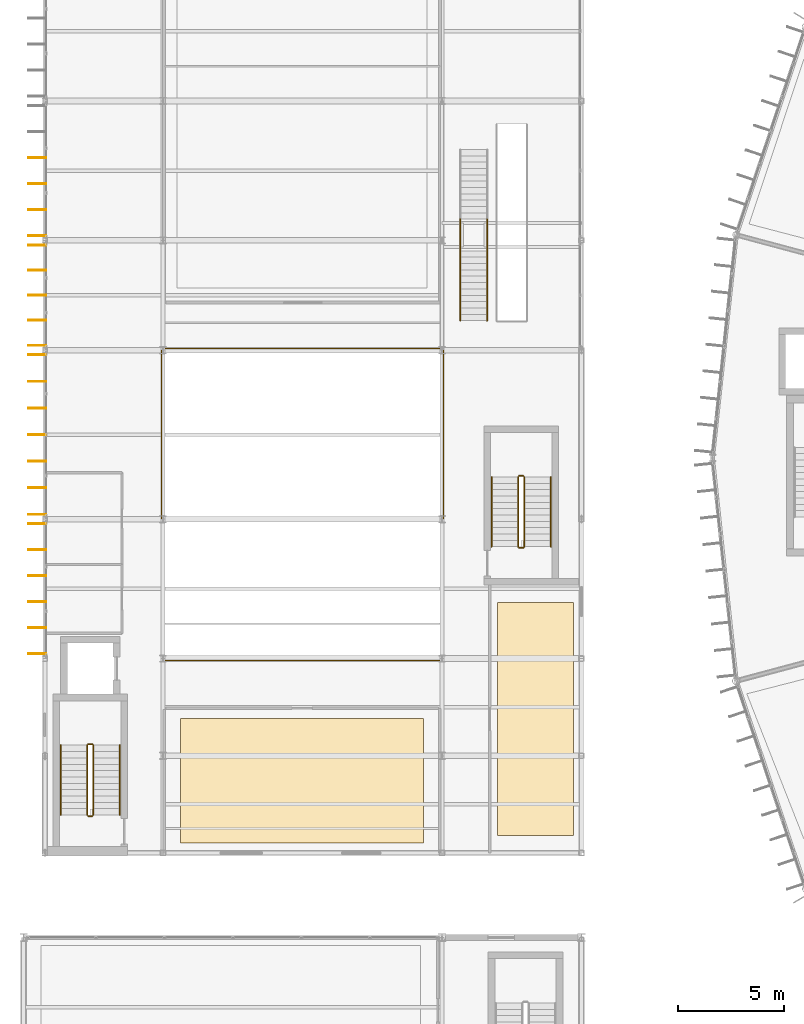
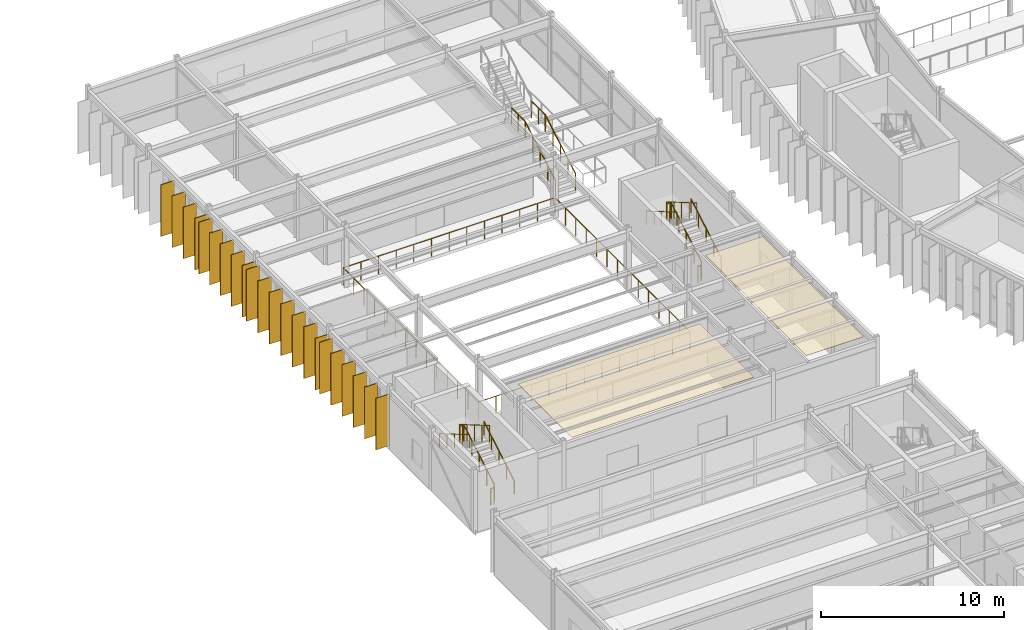
# One storey, part 135 of 148: 22 shading devices, 17 railings, 2 coverings.
"""IFC4 building model written with IfcOpenShell, lengths in metres."""

from ifc_helpers import new_model, si_unit, direction, frame, origin, origin_2d, place, context, subcontext, project, spatial, polyline, rectangle, circle, outline, extrude, material, layer, layer_set, type_object, element, save


model = new_model("IFC4")

# Units and contexts
model_context = context("Model", 3, precision=1e-05, world=origin(), true_north=direction((0.0, 1.0)))
body_context = subcontext(model_context, "Body", "Model", "MODEL_VIEW")
ifc_project = project(units=[si_unit("LENGTHUNIT", "METRE"), si_unit("AREAUNIT", "SQUARE_METRE"), si_unit("VOLUMEUNIT", "CUBIC_METRE"), si_unit("PLANEANGLEUNIT", "RADIAN"), si_unit("MASSUNIT", "GRAM", prefix="KILO")], contexts=[model_context])

# Site, building, storey
site_placement = place(None, origin())
site = spatial("IfcSite", under=ifc_project, at=site_placement, CompositionType="ELEMENT")
building_placement = place(site_placement, origin())
building = spatial("IfcBuilding", under=site, at=building_placement, Name="Karori Crest Natural Sciences Institute", CompositionType="ELEMENT")
storey_placement = place(building_placement, frame((0.0, 0.0, 4.89990234375)))
storey = spatial("IfcBuildingStorey", under=building, at=storey_placement, Name="L01", CompositionType="ELEMENT", Elevation=4.89990234375)

# Coverings
ifc_material_1 = material(Name="Acoustic mineral fibre ceiling tile")
ifc_layer_1 = layer(ifc_material_1, 0.02490234375, Name="Acoustic mineral fibre ceiling tile")
ifc_layer_set_1 = layer_set([ifc_layer_1], Name="Acoustic mineral fibre ceiling tile")
covering_type = type_object("IfcCoveringType", Name="CVT-CEIL", PredefinedType="CEILING", material=ifc_layer_set_1)
covering_1_placement = place(storey_placement, frame((0.0, 0.0, 3.705078125)))
element("IfcCovering", 1, at=covering_1_placement, inside=storey, type_object=covering_type, Name="Acoustic ceiling CLG-0049", PredefinedType="CEILING", context=body_context, shape_type="SweptSolid", body=[
    extrude(outline(polyline([(8.23291015625, 37.570556640625), (8.23291015625, 31.679443359375), (19.71728515625, 31.679443359375), (19.71728515625, 37.570556640625), (8.23291015625, 37.570556640625)])), origin(), (0.0, 0.0, 1.0), 0.02490234375),
])
covering_2_placement = place(storey_placement, frame((0.0, 0.0, 3.705078125)))
element("IfcCovering", 2, at=covering_2_placement, inside=storey, type_object=covering_type, Name="Acoustic ceiling CLG-0050", PredefinedType="CEILING", context=body_context, shape_type="SweptSolid", body=[
    extrude(outline(polyline([(23.22705078125, 43.054443359375), (23.22705078125, 32.025390625), (26.822998046875, 32.025390625), (26.822998046875, 43.054443359375), (23.22705078125, 43.054443359375)])), origin(), (0.0, 0.0, 1.0), 0.02490234375),
])

# Railings
ifc_material_2 = material(Name="Stainless steel 316 balustrade", Category="steel")
railing_type_1 = type_object("IfcRailingType", Name="RLT-GRD", PredefinedType="GUARDRAIL", material=ifc_material_2)
railing_1_placement = place(storey_placement, frame((7.320068359375, 40.320068359375, 0.0)))
element("IfcRailing", 3, at=railing_1_placement, inside=storey, type_object=railing_type_1, Name="Atrium void perimeter guard GR-0008", PredefinedType="GUARDRAIL", context=body_context, shape_type="SweptSolid", body=[
    extrude(circle(Radius=0.02392578125, at=origin_2d()), frame((0.0, 0.0, 1.17578125), z_axis=(1.0, 0.0, 0.0), x_axis=(0.0, 1.0, 0.0)), (0.0, 0.0, 1.0), 13.35986328125),
    extrude(circle(Radius=0.02392578125, at=origin_2d()), frame((13.35986328125, 0.0, 1.17578125), z_axis=(0.0, 1.0, 0.0), x_axis=(-1.0, 0.0, 0.0)), (0.0, 0.0, 1.0), 14.760009765625),
    extrude(circle(Radius=0.02392578125, at=origin_2d()), frame((13.35986328125, 14.760009765625, 1.17578125), z_axis=(-1.0, 0.0, 0.0), x_axis=(0.0, -1.0, 0.0)), (0.0, 0.0, 1.0), 13.35986328125),
    extrude(circle(Radius=0.02392578125, at=origin_2d()), frame((0.0, 14.760009765625, 1.17578125), z_axis=(0.0, -1.0, 0.0), x_axis=(1.0, 0.0, 0.0)), (0.0, 0.0, 1.0), 14.760009765625),
    extrude(circle(Radius=0.02099609375, at=origin_2d()), origin(), (0.0, 0.0, 1.0), 1.15185546875),
    extrude(circle(Radius=0.02099609375, at=origin_2d()), frame((1.11328125, 0.0, 0.0)), (0.0, 0.0, 1.0), 1.15185546875),
    extrude(circle(Radius=0.02099609375, at=origin_2d()), frame((2.2265625, 0.0, 0.0)), (0.0, 0.0, 1.0), 1.15185546875),
    extrude(circle(Radius=0.02099609375, at=origin_2d()), frame((3.33984375, 0.0, 0.0)), (0.0, 0.0, 1.0), 1.15185546875),
    extrude(circle(Radius=0.02099609375, at=origin_2d()), frame((4.453369140625, 0.0, 0.0)), (0.0, 0.0, 1.0), 1.15185546875),
    extrude(circle(Radius=0.02099609375, at=origin_2d()), frame((5.566650390625, 0.0, 0.0)), (0.0, 0.0, 1.0), 1.15185546875),
    extrude(circle(Radius=0.02099609375, at=origin_2d()), frame((6.679931640625, 0.0, 0.0)), (0.0, 0.0, 1.0), 1.15185546875),
    extrude(circle(Radius=0.02099609375, at=origin_2d()), frame((7.793212890625, 0.0, 0.0)), (0.0, 0.0, 1.0), 1.15185546875),
    extrude(circle(Radius=0.02099609375, at=origin_2d()), frame((8.906494140625, 0.0, 0.0)), (0.0, 0.0, 1.0), 1.15185546875),
    extrude(circle(Radius=0.02099609375, at=origin_2d()), frame((10.02001953125, 0.0, 0.0)), (0.0, 0.0, 1.0), 1.15185546875),
    extrude(circle(Radius=0.02099609375, at=origin_2d()), frame((11.13330078125, 0.0, 0.0)), (0.0, 0.0, 1.0), 1.15185546875),
    extrude(circle(Radius=0.02099609375, at=origin_2d()), frame((12.24658203125, 0.0, 0.0)), (0.0, 0.0, 1.0), 1.15185546875),
    extrude(circle(Radius=0.02099609375, at=origin_2d()), frame((13.35986328125, 0.0, 0.0)), (0.0, 0.0, 1.0), 1.15185546875),
    extrude(circle(Radius=0.02099609375, at=origin_2d()), frame((13.35986328125, 1.135498046875, 0.0)), (0.0, 0.0, 1.0), 1.15185546875),
    extrude(circle(Radius=0.02099609375, at=origin_2d()), frame((13.35986328125, 2.270751953125, 0.0)), (0.0, 0.0, 1.0), 1.15185546875),
    extrude(circle(Radius=0.02099609375, at=origin_2d()), frame((13.35986328125, 3.40625, 0.0)), (0.0, 0.0, 1.0), 1.15185546875),
    extrude(circle(Radius=0.02099609375, at=origin_2d()), frame((13.35986328125, 4.54150390625, 0.0)), (0.0, 0.0, 1.0), 1.15185546875),
    extrude(circle(Radius=0.02099609375, at=origin_2d()), frame((13.35986328125, 5.677001953125, 0.0)), (0.0, 0.0, 1.0), 1.15185546875),
    extrude(circle(Radius=0.02099609375, at=origin_2d()), frame((13.35986328125, 6.812255859375, 0.0)), (0.0, 0.0, 1.0), 1.15185546875),
    extrude(circle(Radius=0.02099609375, at=origin_2d()), frame((13.35986328125, 7.94775390625, 0.0)), (0.0, 0.0, 1.0), 1.15185546875),
    extrude(circle(Radius=0.02099609375, at=origin_2d()), frame((13.35986328125, 9.0830078125, 0.0)), (0.0, 0.0, 1.0), 1.15185546875),
    extrude(circle(Radius=0.02099609375, at=origin_2d()), frame((13.35986328125, 10.218505859375, 0.0)), (0.0, 0.0, 1.0), 1.15185546875),
    extrude(circle(Radius=0.02099609375, at=origin_2d()), frame((13.35986328125, 11.353759765625, 0.0)), (0.0, 0.0, 1.0), 1.15185546875),
    extrude(circle(Radius=0.02099609375, at=origin_2d()), frame((13.35986328125, 12.4892578125, 0.0)), (0.0, 0.0, 1.0), 1.15185546875),
    extrude(circle(Radius=0.02099609375, at=origin_2d()), frame((13.35986328125, 13.62451171875, 0.0)), (0.0, 0.0, 1.0), 1.15185546875),
    extrude(circle(Radius=0.02099609375, at=origin_2d()), frame((13.35986328125, 14.760009765625, 0.0)), (0.0, 0.0, 1.0), 1.15185546875),
    extrude(circle(Radius=0.02099609375, at=origin_2d()), frame((12.24658203125, 14.760009765625, 0.0)), (0.0, 0.0, 1.0), 1.15185546875),
    extrude(circle(Radius=0.02099609375, at=origin_2d()), frame((11.13330078125, 14.760009765625, 0.0)), (0.0, 0.0, 1.0), 1.15185546875),
    extrude(circle(Radius=0.02099609375, at=origin_2d()), frame((10.02001953125, 14.760009765625, 0.0)), (0.0, 0.0, 1.0), 1.15185546875),
    extrude(circle(Radius=0.02099609375, at=origin_2d()), frame((8.906494140625, 14.760009765625, 0.0)), (0.0, 0.0, 1.0), 1.15185546875),
    extrude(circle(Radius=0.02099609375, at=origin_2d()), frame((7.793212890625, 14.760009765625, 0.0)), (0.0, 0.0, 1.0), 1.15185546875),
    extrude(circle(Radius=0.02099609375, at=origin_2d()), frame((6.679931640625, 14.760009765625, 0.0)), (0.0, 0.0, 1.0), 1.15185546875),
    extrude(circle(Radius=0.02099609375, at=origin_2d()), frame((5.566650390625, 14.760009765625, 0.0)), (0.0, 0.0, 1.0), 1.15185546875),
    extrude(circle(Radius=0.02099609375, at=origin_2d()), frame((4.453369140625, 14.760009765625, 0.0)), (0.0, 0.0, 1.0), 1.15185546875),
    extrude(circle(Radius=0.02099609375, at=origin_2d()), frame((3.33984375, 14.760009765625, 0.0)), (0.0, 0.0, 1.0), 1.15185546875),
    extrude(circle(Radius=0.02099609375, at=origin_2d()), frame((2.2265625, 14.760009765625, 0.0)), (0.0, 0.0, 1.0), 1.15185546875),
    extrude(circle(Radius=0.02099609375, at=origin_2d()), frame((1.11328125, 14.760009765625, 0.0)), (0.0, 0.0, 1.0), 1.15185546875),
    extrude(circle(Radius=0.02099609375, at=origin_2d()), frame((0.0, 14.760009765625, 0.0)), (0.0, 0.0, 1.0), 1.15185546875),
    extrude(circle(Radius=0.02099609375, at=origin_2d()), frame((0.0, 13.62451171875, 0.0)), (0.0, 0.0, 1.0), 1.15185546875),
    extrude(circle(Radius=0.02099609375, at=origin_2d()), frame((0.0, 12.4892578125, 0.0)), (0.0, 0.0, 1.0), 1.15185546875),
    extrude(circle(Radius=0.02099609375, at=origin_2d()), frame((0.0, 11.353759765625, 0.0)), (0.0, 0.0, 1.0), 1.15185546875),
    extrude(circle(Radius=0.02099609375, at=origin_2d()), frame((0.0, 10.218505859375, 0.0)), (0.0, 0.0, 1.0), 1.15185546875),
    extrude(circle(Radius=0.02099609375, at=origin_2d()), frame((0.0, 9.0830078125, 0.0)), (0.0, 0.0, 1.0), 1.15185546875),
    extrude(circle(Radius=0.02099609375, at=origin_2d()), frame((0.0, 7.94775390625, 0.0)), (0.0, 0.0, 1.0), 1.15185546875),
    extrude(circle(Radius=0.02099609375, at=origin_2d()), frame((0.0, 6.812255859375, 0.0)), (0.0, 0.0, 1.0), 1.15185546875),
    extrude(circle(Radius=0.02099609375, at=origin_2d()), frame((0.0, 5.677001953125, 0.0)), (0.0, 0.0, 1.0), 1.15185546875),
    extrude(circle(Radius=0.02099609375, at=origin_2d()), frame((0.0, 4.54150390625, 0.0)), (0.0, 0.0, 1.0), 1.15185546875),
    extrude(circle(Radius=0.02099609375, at=origin_2d()), frame((0.0, 3.40625, 0.0)), (0.0, 0.0, 1.0), 1.15185546875),
    extrude(circle(Radius=0.02099609375, at=origin_2d()), frame((0.0, 2.270751953125, 0.0)), (0.0, 0.0, 1.0), 1.15185546875),
    extrude(circle(Radius=0.02099609375, at=origin_2d()), frame((0.0, 1.135498046875, 0.0)), (0.0, 0.0, 1.0), 1.15185546875),
])
ifc_material_3 = material(Name="Stainless steel 316 tubular handrail", Category="steel")
railing_type_2 = type_object("IfcRailingType", Name="RLT-HND", PredefinedType="HANDRAIL", material=ifc_material_3)
railing_2_placement = place(storey_placement, frame((5.35009765625, 33.0, 0.175048828125)))
element("IfcRailing", 4, at=railing_2_placement, inside=storey, type_object=railing_type_2, Name="Stair handrail RL-0323", PredefinedType="HANDRAIL", context=body_context, shape_type="SweptSolid", body=[
    extrude(circle(Radius=0.02392578125, at=origin_2d()), frame((0.0, 0.0, 0.90087890625), z_axis=(0.0, 0.863776583165, 0.503874998761), x_axis=(-1.0, 0.0, 0.0)), (0.0, 0.0, 1.0), 3.820556640625),
    extrude(circle(Radius=0.02099609375, at=origin_2d()), origin(), (0.0, 0.0, 1.0), 0.876953125),
    extrude(circle(Radius=0.02099609375, at=origin_2d()), frame((0.0, 0.824951171875, 0.481201171875)), (0.0, 0.0, 1.0), 0.876953125),
    extrude(circle(Radius=0.02099609375, at=origin_2d()), frame((0.0, 1.64990234375, 0.96240234375)), (0.0, 0.0, 1.0), 0.876953125),
    extrude(circle(Radius=0.02099609375, at=origin_2d()), frame((0.0, 2.47509765625, 1.44384765625)), (0.0, 0.0, 1.0), 0.876953125),
    extrude(circle(Radius=0.02099609375, at=origin_2d()), frame((0.0, 3.300048828125, 1.925048828125)), (0.0, 0.0, 1.0), 0.876953125),
])
railing_3_placement = place(storey_placement, frame((2.550048828125, 36.300048828125, 2.275146484375)))
element("IfcRailing", 5, at=railing_3_placement, inside=storey, type_object=railing_type_2, Name="Stair handrail RL-0324", PredefinedType="HANDRAIL", context=body_context, shape_type="SweptSolid", body=[
    extrude(circle(Radius=0.02392578125, at=origin_2d()), frame((0.0, 0.0, 0.90087890625), z_axis=(0.0, -0.863776583165, 0.503874998761), x_axis=(1.0, 0.0, 0.0)), (0.0, 0.0, 1.0), 3.820556640625),
    extrude(circle(Radius=0.02099609375, at=origin_2d()), origin(), (0.0, 0.0, 1.0), 0.876953125),
    extrude(circle(Radius=0.02099609375, at=origin_2d()), frame((0.0, -0.824951171875, 0.481201171875)), (0.0, 0.0, 1.0), 0.876953125),
    extrude(circle(Radius=0.02099609375, at=origin_2d()), frame((0.0, -1.64990234375, 0.96240234375)), (0.0, 0.0, 1.0), 0.876953125),
    extrude(circle(Radius=0.02099609375, at=origin_2d()), frame((0.0, -2.47509765625, 1.44384765625)), (0.0, 0.0, 1.0), 0.876953125),
    extrude(circle(Radius=0.02099609375, at=origin_2d()), frame((0.0, -3.300048828125, 1.925048828125)), (0.0, 0.0, 1.0), 0.876953125),
])
railing_4_placement = place(storey_placement, frame((25.75, 45.699951171875, 0.175048828125)))
element("IfcRailing", 6, at=railing_4_placement, inside=storey, type_object=railing_type_2, Name="Stair handrail RL-0354", PredefinedType="HANDRAIL", context=body_context, shape_type="SweptSolid", body=[
    extrude(circle(Radius=0.02392578125, at=origin_2d()), frame((0.0, 0.0, 0.90087890625), z_axis=(0.0, 0.863776583165, 0.503874998761), x_axis=(-1.0, 0.0, 0.0)), (0.0, 0.0, 1.0), 3.820556640625),
    extrude(circle(Radius=0.02099609375, at=origin_2d()), origin(), (0.0, 0.0, 1.0), 0.876953125),
    extrude(circle(Radius=0.02099609375, at=origin_2d()), frame((0.0, 0.824951171875, 0.481201171875)), (0.0, 0.0, 1.0), 0.876953125),
    extrude(circle(Radius=0.02099609375, at=origin_2d()), frame((0.0, 1.64990234375, 0.96240234375)), (0.0, 0.0, 1.0), 0.876953125),
    extrude(circle(Radius=0.02099609375, at=origin_2d()), frame((0.0, 2.47509765625, 1.44384765625)), (0.0, 0.0, 1.0), 0.876953125),
    extrude(circle(Radius=0.02099609375, at=origin_2d()), frame((0.0, 3.300048828125, 1.925048828125)), (0.0, 0.0, 1.0), 0.876953125),
])
railing_5_placement = place(storey_placement, frame((22.949951171875, 49.0, 2.275146484375)))
element("IfcRailing", 7, at=railing_5_placement, inside=storey, type_object=railing_type_2, Name="Stair handrail RL-0355", PredefinedType="HANDRAIL", context=body_context, shape_type="SweptSolid", body=[
    extrude(circle(Radius=0.02392578125, at=origin_2d()), frame((0.0, 0.0, 0.90087890625), z_axis=(0.0, -0.863776583165, 0.503874998761), x_axis=(1.0, 0.0, 0.0)), (0.0, 0.0, 1.0), 3.820556640625),
    extrude(circle(Radius=0.02099609375, at=origin_2d()), origin(), (0.0, 0.0, 1.0), 0.876953125),
    extrude(circle(Radius=0.02099609375, at=origin_2d()), frame((0.0, -0.824951171875, 0.481201171875)), (0.0, 0.0, 1.0), 0.876953125),
    extrude(circle(Radius=0.02099609375, at=origin_2d()), frame((0.0, -1.64990234375, 0.96240234375)), (0.0, 0.0, 1.0), 0.876953125),
    extrude(circle(Radius=0.02099609375, at=origin_2d()), frame((0.0, -2.47509765625, 1.44384765625)), (0.0, 0.0, 1.0), 0.876953125),
    extrude(circle(Radius=0.02099609375, at=origin_2d()), frame((0.0, -3.300048828125, 1.925048828125)), (0.0, 0.0, 1.0), 0.876953125),
])
ifc_material_4 = material(Name="Stainless steel 316 stair guard", Category="steel")
railing_type_3 = type_object("IfcRailingType", Name="RLT-STG", PredefinedType="GUARDRAIL", material=ifc_material_4)
railing_6_placement = place(storey_placement, frame((4.10009765625, 33.0, 0.175048828125)))
element("IfcRailing", 8, at=railing_6_placement, inside=storey, type_object=railing_type_3, Name="Stair guard RL-0319", PredefinedType="GUARDRAIL", context=body_context, shape_type="SweptSolid", body=[
    extrude(circle(Radius=0.02392578125, at=origin_2d()), frame((0.0, 0.0, 1.076171875), z_axis=(0.0, 0.863776583165, 0.503874998761), x_axis=(-1.0, 0.0, 0.0)), (0.0, 0.0, 1.0), 3.820556640625),
    extrude(circle(Radius=0.02099609375, at=origin_2d()), origin(), (0.0, 0.0, 1.0), 1.052001953125),
    extrude(circle(Radius=0.02099609375, at=origin_2d()), frame((0.0, 0.824951171875, 0.481201171875)), (0.0, 0.0, 1.0), 1.052001953125),
    extrude(circle(Radius=0.02099609375, at=origin_2d()), frame((0.0, 1.64990234375, 0.96240234375)), (0.0, 0.0, 1.0), 1.052001953125),
    extrude(circle(Radius=0.02099609375, at=origin_2d()), frame((0.0, 2.47509765625, 1.44384765625)), (0.0, 0.0, 1.0), 1.052001953125),
    extrude(circle(Radius=0.02099609375, at=origin_2d()), frame((0.0, 3.300048828125, 1.925048828125)), (0.0, 0.0, 1.0), 1.052001953125),
])
railing_7_placement = place(storey_placement, frame((4.050048828125, 36.35009765625, 2.10009765625)))
element("IfcRailing", 9, at=railing_7_placement, inside=storey, type_object=railing_type_3, Name="Stair guard RL-0320", PredefinedType="GUARDRAIL", context=body_context, shape_type="SweptSolid", body=[
    extrude(circle(Radius=0.02392578125, at=origin_2d()), frame((0.0, 0.0, 1.076171875), z_axis=(-1.0, 0.0, 0.0), x_axis=(0.0, -1.0, 0.0)), (0.0, 0.0, 1.0), 0.199951171875),
    extrude(circle(Radius=0.02099609375, at=origin_2d()), origin(), (0.0, 0.0, 1.0), 1.052001953125),
    extrude(circle(Radius=0.02099609375, at=origin_2d()), frame((-0.199951171875, 0.0, 0.0)), (0.0, 0.0, 1.0), 1.052001953125),
])
railing_8_placement = place(storey_placement, frame((3.800048828125, 36.300048828125, 2.275146484375)))
element("IfcRailing", 10, at=railing_8_placement, inside=storey, type_object=railing_type_3, Name="Stair guard RL-0321", PredefinedType="GUARDRAIL", context=body_context, shape_type="SweptSolid", body=[
    extrude(circle(Radius=0.02392578125, at=origin_2d()), frame((0.0, 0.0, 1.076171875), z_axis=(0.0, -0.863776583165, 0.503874998761), x_axis=(1.0, 0.0, 0.0)), (0.0, 0.0, 1.0), 3.820556640625),
    extrude(circle(Radius=0.02099609375, at=origin_2d()), origin(), (0.0, 0.0, 1.0), 1.052001953125),
    extrude(circle(Radius=0.02099609375, at=origin_2d()), frame((0.0, -0.824951171875, 0.481201171875)), (0.0, 0.0, 1.0), 1.052001953125),
    extrude(circle(Radius=0.02099609375, at=origin_2d()), frame((0.0, -1.64990234375, 0.96240234375)), (0.0, 0.0, 1.0), 1.052001953125),
    extrude(circle(Radius=0.02099609375, at=origin_2d()), frame((0.0, -2.47509765625, 1.44384765625)), (0.0, 0.0, 1.0), 1.052001953125),
    extrude(circle(Radius=0.02099609375, at=origin_2d()), frame((0.0, -3.300048828125, 1.925048828125)), (0.0, 0.0, 1.0), 1.052001953125),
])
railing_9_placement = place(storey_placement, frame((4.050048828125, 32.949951171875, 0.0)))
element("IfcRailing", 11, at=railing_9_placement, inside=storey, type_object=railing_type_3, Name="Stair guard RL-0322", PredefinedType="GUARDRAIL", context=body_context, shape_type="SweptSolid", body=[
    extrude(circle(Radius=0.02392578125, at=origin_2d()), frame((0.0, 0.0, 1.076171875), z_axis=(-1.0, 0.0, 0.0), x_axis=(0.0, -1.0, 0.0)), (0.0, 0.0, 1.0), 0.199951171875),
    extrude(circle(Radius=0.02099609375, at=origin_2d()), origin(), (0.0, 0.0, 1.0), 1.052001953125),
    extrude(circle(Radius=0.02099609375, at=origin_2d()), frame((-0.199951171875, 0.0, 0.0)), (0.0, 0.0, 1.0), 1.052001953125),
])
railing_10_placement = place(storey_placement, frame((24.5, 45.699951171875, 0.175048828125)))
element("IfcRailing", 12, at=railing_10_placement, inside=storey, type_object=railing_type_3, Name="Stair guard RL-0350", PredefinedType="GUARDRAIL", context=body_context, shape_type="SweptSolid", body=[
    extrude(circle(Radius=0.02392578125, at=origin_2d()), frame((0.0, 0.0, 1.076171875), z_axis=(0.0, 0.863776583165, 0.503874998761), x_axis=(-1.0, 0.0, 0.0)), (0.0, 0.0, 1.0), 3.820556640625),
    extrude(circle(Radius=0.02099609375, at=origin_2d()), origin(), (0.0, 0.0, 1.0), 1.052001953125),
    extrude(circle(Radius=0.02099609375, at=origin_2d()), frame((0.0, 0.824951171875, 0.481201171875)), (0.0, 0.0, 1.0), 1.052001953125),
    extrude(circle(Radius=0.02099609375, at=origin_2d()), frame((0.0, 1.64990234375, 0.96240234375)), (0.0, 0.0, 1.0), 1.052001953125),
    extrude(circle(Radius=0.02099609375, at=origin_2d()), frame((0.0, 2.47509765625, 1.44384765625)), (0.0, 0.0, 1.0), 1.052001953125),
    extrude(circle(Radius=0.02099609375, at=origin_2d()), frame((0.0, 3.300048828125, 1.925048828125)), (0.0, 0.0, 1.0), 1.052001953125),
])
railing_11_placement = place(storey_placement, frame((24.449951171875, 49.050048828125, 2.10009765625)))
element("IfcRailing", 13, at=railing_11_placement, inside=storey, type_object=railing_type_3, Name="Stair guard RL-0351", PredefinedType="GUARDRAIL", context=body_context, shape_type="SweptSolid", body=[
    extrude(circle(Radius=0.02392578125, at=origin_2d()), frame((0.0, 0.0, 1.076171875), z_axis=(-1.0, 0.0, 0.0), x_axis=(0.0, -1.0, 0.0)), (0.0, 0.0, 1.0), 0.199951171875),
    extrude(circle(Radius=0.02099609375, at=origin_2d()), origin(), (0.0, 0.0, 1.0), 1.052001953125),
    extrude(circle(Radius=0.02099609375, at=origin_2d()), frame((-0.199951171875, 0.0, 0.0)), (0.0, 0.0, 1.0), 1.052001953125),
])
railing_12_placement = place(storey_placement, frame((24.199951171875, 49.0, 2.275146484375)))
element("IfcRailing", 14, at=railing_12_placement, inside=storey, type_object=railing_type_3, Name="Stair guard RL-0352", PredefinedType="GUARDRAIL", context=body_context, shape_type="SweptSolid", body=[
    extrude(circle(Radius=0.02392578125, at=origin_2d()), frame((0.0, 0.0, 1.076171875), z_axis=(0.0, -0.863776583165, 0.503874998761), x_axis=(1.0, 0.0, 0.0)), (0.0, 0.0, 1.0), 3.820556640625),
    extrude(circle(Radius=0.02099609375, at=origin_2d()), origin(), (0.0, 0.0, 1.0), 1.052001953125),
    extrude(circle(Radius=0.02099609375, at=origin_2d()), frame((0.0, -0.824951171875, 0.481201171875)), (0.0, 0.0, 1.0), 1.052001953125),
    extrude(circle(Radius=0.02099609375, at=origin_2d()), frame((0.0, -1.64990234375, 0.96240234375)), (0.0, 0.0, 1.0), 1.052001953125),
    extrude(circle(Radius=0.02099609375, at=origin_2d()), frame((0.0, -2.47509765625, 1.44384765625)), (0.0, 0.0, 1.0), 1.052001953125),
    extrude(circle(Radius=0.02099609375, at=origin_2d()), frame((0.0, -3.300048828125, 1.925048828125)), (0.0, 0.0, 1.0), 1.052001953125),
])
railing_13_placement = place(storey_placement, frame((24.449951171875, 45.64990234375, 0.0)))
element("IfcRailing", 15, at=railing_13_placement, inside=storey, type_object=railing_type_3, Name="Stair guard RL-0353", PredefinedType="GUARDRAIL", context=body_context, shape_type="SweptSolid", body=[
    extrude(circle(Radius=0.02392578125, at=origin_2d()), frame((0.0, 0.0, 1.076171875), z_axis=(-1.0, 0.0, 0.0), x_axis=(0.0, -1.0, 0.0)), (0.0, 0.0, 1.0), 0.199951171875),
    extrude(circle(Radius=0.02099609375, at=origin_2d()), origin(), (0.0, 0.0, 1.0), 1.052001953125),
    extrude(circle(Radius=0.02099609375, at=origin_2d()), frame((-0.199951171875, 0.0, 0.0)), (0.0, 0.0, 1.0), 1.052001953125),
])
railing_14_placement = place(storey_placement, frame((21.465087890625, 56.39990234375, 0.175048828125)))
element("IfcRailing", 16, at=railing_14_placement, inside=storey, type_object=railing_type_3, Name="Feature stair guard RL-0414", PredefinedType="GUARDRAIL", context=body_context, shape_type="SweptSolid", body=[
    extrude(circle(Radius=0.02392578125, at=origin_2d()), frame((0.0, 0.0, 1.076171875), z_axis=(0.0, 0.863776583165, 0.503874998761), x_axis=(-1.0, 0.0, 0.0)), (0.0, 0.0, 1.0), 3.820556640625),
    extrude(circle(Radius=0.02099609375, at=origin_2d()), origin(), (0.0, 0.0, 1.0), 1.052001953125),
    extrude(circle(Radius=0.02099609375, at=origin_2d()), frame((0.0, 0.824951171875, 0.481201171875)), (0.0, 0.0, 1.0), 1.052001953125),
    extrude(circle(Radius=0.02099609375, at=origin_2d()), frame((0.0, 1.64990234375, 0.96240234375)), (0.0, 0.0, 1.0), 1.052001953125),
    extrude(circle(Radius=0.02099609375, at=origin_2d()), frame((0.0, 2.47509765625, 1.44384765625)), (0.0, 0.0, 1.0), 1.052001953125),
    extrude(circle(Radius=0.02099609375, at=origin_2d()), frame((0.0, 3.300048828125, 1.925048828125)), (0.0, 0.0, 1.0), 1.052001953125),
])
railing_15_placement = place(storey_placement, frame((21.465087890625, 59.699951171875, 2.10009765625)))
element("IfcRailing", 17, at=railing_15_placement, inside=storey, type_object=railing_type_3, Name="Feature stair guard RL-0415", PredefinedType="GUARDRAIL", context=body_context, shape_type="SweptSolid", body=[
    extrude(circle(Radius=0.02392578125, at=origin_2d()), frame((0.0, 0.0, 1.076171875), z_axis=(0.0, 1.0, 0.0), x_axis=(-1.0, 0.0, 0.0)), (0.0, 0.0, 1.0), 1.5),
    extrude(circle(Radius=0.02099609375, at=origin_2d()), origin(), (0.0, 0.0, 1.0), 1.052001953125),
    extrude(circle(Radius=0.02099609375, at=origin_2d()), frame((0.0, 0.75, 0.0)), (0.0, 0.0, 1.0), 1.052001953125),
    extrude(circle(Radius=0.02099609375, at=origin_2d()), frame((0.0, 1.5, 0.0)), (0.0, 0.0, 1.0), 1.052001953125),
])
railing_16_placement = place(storey_placement, frame((22.735107421875, 56.39990234375, 0.175048828125)))
element("IfcRailing", 18, at=railing_16_placement, inside=storey, type_object=railing_type_3, Name="Feature stair guard RL-0417", PredefinedType="GUARDRAIL", context=body_context, shape_type="SweptSolid", body=[
    extrude(circle(Radius=0.02392578125, at=origin_2d()), frame((0.0, 0.0, 1.076171875), z_axis=(0.0, 0.863776583165, 0.503874998761), x_axis=(-1.0, 0.0, 0.0)), (0.0, 0.0, 1.0), 3.820556640625),
    extrude(circle(Radius=0.02099609375, at=origin_2d()), origin(), (0.0, 0.0, 1.0), 1.052001953125),
    extrude(circle(Radius=0.02099609375, at=origin_2d()), frame((0.0, 0.824951171875, 0.481201171875)), (0.0, 0.0, 1.0), 1.052001953125),
    extrude(circle(Radius=0.02099609375, at=origin_2d()), frame((0.0, 1.64990234375, 0.96240234375)), (0.0, 0.0, 1.0), 1.052001953125),
    extrude(circle(Radius=0.02099609375, at=origin_2d()), frame((0.0, 2.47509765625, 1.44384765625)), (0.0, 0.0, 1.0), 1.052001953125),
    extrude(circle(Radius=0.02099609375, at=origin_2d()), frame((0.0, 3.300048828125, 1.925048828125)), (0.0, 0.0, 1.0), 1.052001953125),
])
railing_17_placement = place(storey_placement, frame((22.735107421875, 59.699951171875, 2.10009765625)))
element("IfcRailing", 19, at=railing_17_placement, inside=storey, type_object=railing_type_3, Name="Feature stair guard RL-0418", PredefinedType="GUARDRAIL", context=body_context, shape_type="SweptSolid", body=[
    extrude(circle(Radius=0.02392578125, at=origin_2d()), frame((0.0, 0.0, 1.076171875), z_axis=(0.0, 1.0, 0.0), x_axis=(-1.0, 0.0, 0.0)), (0.0, 0.0, 1.0), 1.5),
    extrude(circle(Radius=0.02099609375, at=origin_2d()), origin(), (0.0, 0.0, 1.0), 1.052001953125),
    extrude(circle(Radius=0.02099609375, at=origin_2d()), frame((0.0, 0.75, 0.0)), (0.0, 0.0, 1.0), 1.052001953125),
    extrude(circle(Radius=0.02099609375, at=origin_2d()), frame((0.0, 1.5, 0.0)), (0.0, 0.0, 1.0), 1.052001953125),
])

# Shading devices
ifc_material_5 = material(Name="Anodised architectural aluminium 6063-T6", Category="aluminium")
ifc_layer_2 = layer(ifc_material_5, 0.044921875, Name="Anodised architectural aluminium 6063-T6")
ifc_layer_set_2 = layer_set([ifc_layer_2], Name="Anodised architectural aluminium 6063-T6")
shading_device_type = type_object("IfcShadingDeviceType", Name="SDT-FIN", PredefinedType="USERDEFINED", material=ifc_layer_set_2)
for number, where, z_axis, x_axis, name in (
    (20, (1.449951171875, 40.623046875, 0.0), (0.0, 0.0, 1.0), (-1.0, 0.0, 0.0), "Vertical solar fin FN-1289"),
    (21, (1.449951171875, 41.853759765625, 0.0), (0.0, 0.0, 1.0), (-1.0, 0.0, 0.0), "Vertical solar fin FN-1290"),
    (22, (1.449951171875, 43.084716796875, 0.0), (0.0, 0.0, 1.0), (-1.0, 0.0, 0.0), "Vertical solar fin FN-1291"),
    (23, (1.449951171875, 44.3154296875, 0.0), (0.0, 0.0, 1.0), (-1.0, 0.0, 0.0), "Vertical solar fin FN-1292"),
    (24, (1.449951171875, 45.546142578125, 0.0), (0.0, 0.0, 1.0), (-1.0, 0.0, 0.0), "Vertical solar fin FN-1293"),
    (25, (1.449951171875, 46.777099609375, 0.0), (0.0, 0.0, 1.0), (-1.0, 0.0, 0.0), "Vertical solar fin FN-1294"),
    (26, (1.449951171875, 47.222900390625, 0.0), (0.0, 0.0, 1.0), (-1.0, 0.0, 0.0), "Vertical solar fin FN-1295"),
    (27, (1.449951171875, 48.48193359375, 0.0), (0.0, 0.0, 1.0), (-1.0, 0.0, 0.0), "Vertical solar fin FN-1296"),
    (28, (1.449951171875, 49.740966796875, 0.0), (0.0, 0.0, 1.0), (-1.0, 0.0, 0.0), "Vertical solar fin FN-1297"),
    (29, (1.449951171875, 51.0, 0.0), (0.0, 0.0, 1.0), (-1.0, 0.0, 0.0), "Vertical solar fin FN-1298"),
    (30, (1.449951171875, 52.259033203125, 0.0), (0.0, 0.0, 1.0), (-1.0, 0.0, 0.0), "Vertical solar fin FN-1299"),
    (31, (1.449951171875, 53.51806640625, 0.0), (0.0, 0.0, 1.0), (-1.0, 0.0, 0.0), "Vertical solar fin FN-1300"),
    (32, (1.449951171875, 54.777099609375, 0.0), (0.0, 0.0, 1.0), (-1.0, 0.0, 0.0), "Vertical solar fin FN-1301"),
    (33, (1.449951171875, 55.222900390625, 0.0), (0.0, 0.0, 1.0), (-1.0, 0.0, 0.0), "Vertical solar fin FN-1302"),
    (34, (1.449951171875, 56.41162109375, 0.0), (0.0, 0.0, 1.0), (-1.0, 0.0, 0.0), "Vertical solar fin FN-1303"),
    (35, (1.449951171875, 57.60009765625, 0.0), (0.0, 0.0, 1.0), (-1.0, 0.0, 0.0), "Vertical solar fin FN-1304"),
    (36, (1.449951171875, 58.78857421875, 0.0), (0.0, 0.0, 1.0), (-1.0, 0.0, 0.0), "Vertical solar fin FN-1305"),
    (37, (1.449951171875, 59.97705078125, 0.0), (0.0, 0.0, 1.0), (-1.0, 0.0, 0.0), "Vertical solar fin FN-1306"),
    (38, (1.449951171875, 60.423095703125, 0.0), (0.0, 0.0, 1.0), (-1.0, 0.0, 0.0), "Vertical solar fin FN-1307"),
    (39, (1.449951171875, 61.65380859375, 0.0), (0.0, 0.0, 1.0), (-1.0, 0.0, 0.0), "Vertical solar fin FN-1308"),
    (40, (1.449951171875, 62.884521484375, 0.0), (0.0, 0.0, 1.0), (-1.0, 0.0, 0.0), "Vertical solar fin FN-1309"),
    (41, (1.449951171875, 64.115478515625, 0.0), (0.0, 0.0, 1.0), (-1.0, 0.0, 0.0), "Vertical solar fin FN-1310"),
):
    element("IfcShadingDevice", number, at=place(storey_placement, frame(where, z_axis=z_axis, x_axis=x_axis)), inside=storey, type_object=shading_device_type, Name=name, ObjectType="SOLAR_FIN", PredefinedType="USERDEFINED", context=body_context, shape_type="SweptSolid", body=[
        extrude(rectangle(XDim=0.85009765625, YDim=0.044921875, at=origin_2d()), origin(), (0.0, 0.0, 1.0), 3.445068359375),
    ])

save(model, "model.ifc")
